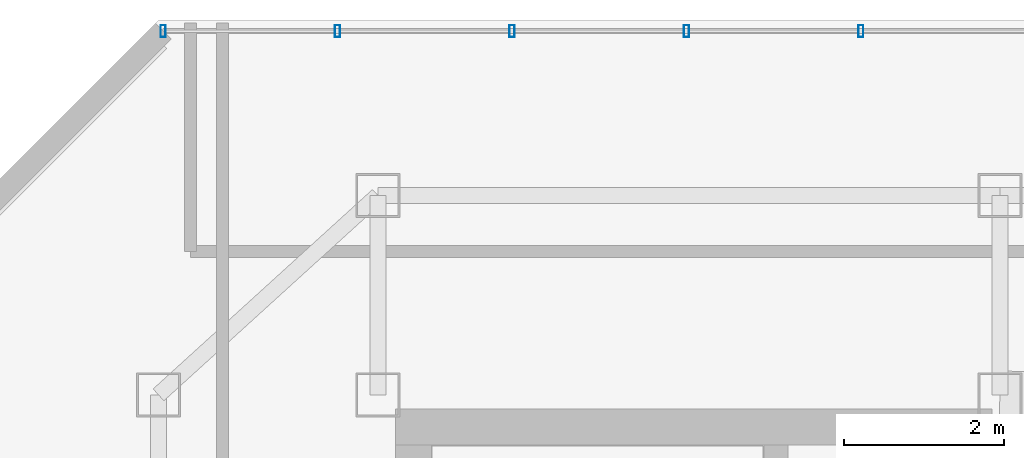
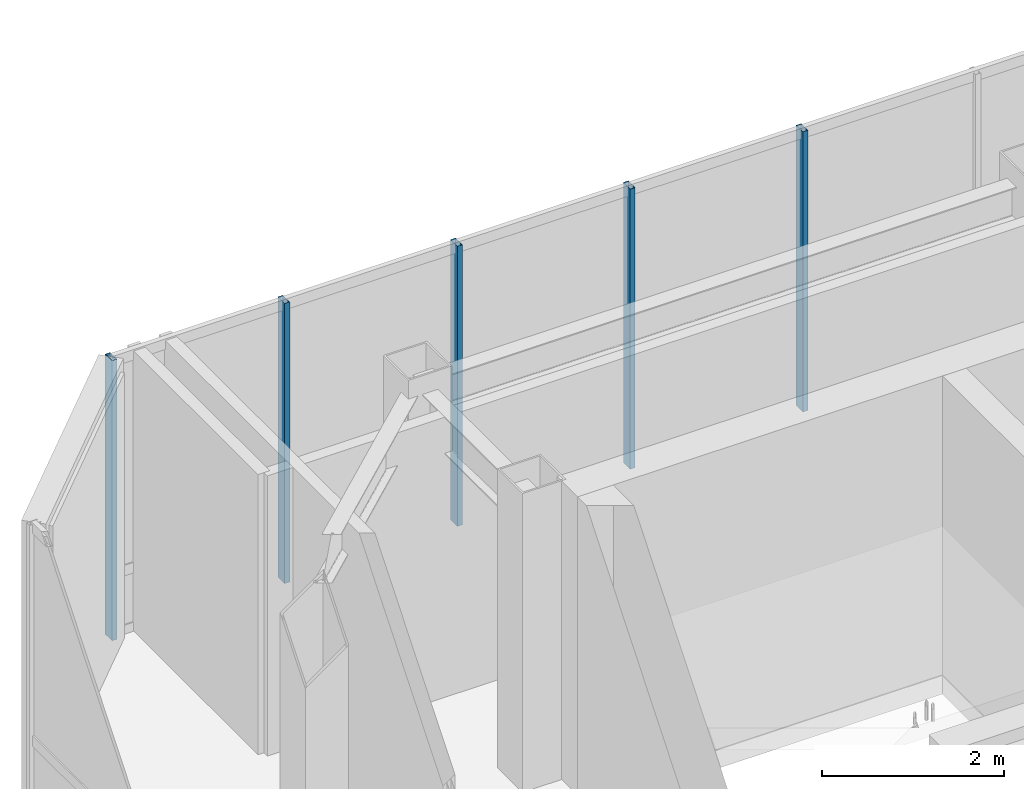
# One storey, part 14 of 23: 5 members, 1 element without a shape of its own.
"""IFC4 building model written with IfcOpenShell, lengths in metres."""

from ifc_helpers import new_model, si_unit, direction, frame, origin, origin_2d, place, context, subcontext, project, spatial, hollow_rectangle, extrude, material, layer, layer_set, material_profile, profile_set, type_object, element, aggregate, save


model = new_model("IFC4")

# Units and contexts
model_context = context("Model", 3, precision=1e-05, world=origin(), true_north=direction((0.0, 1.0)))
body_context = subcontext(model_context, "Body", "Model", "MODEL_VIEW")
ifc_project = project(units=[si_unit("LENGTHUNIT", "METRE"), si_unit("AREAUNIT", "SQUARE_METRE"), si_unit("VOLUMEUNIT", "CUBIC_METRE"), si_unit("PLANEANGLEUNIT", "RADIAN"), si_unit("MASSUNIT", "GRAM", prefix="KILO")], contexts=[model_context])

# Site, building, storey
site_placement = place(None, origin())
site = spatial("IfcSite", under=ifc_project, at=site_placement, CompositionType="ELEMENT")
building_placement = place(site_placement, origin())
building = spatial("IfcBuilding", under=site, at=building_placement, Name="Hatsunagi Terrace Concourse", CompositionType="ELEMENT")
storey_placement = place(building_placement, frame((0.0, 0.0, 281.949951171875)))
storey = spatial("IfcBuildingStorey", under=building, at=storey_placement, Name="L74", CompositionType="ELEMENT", Elevation=281.949951171875)

# Curtain wall, members
ifc_material_1 = material(Name="Anodised Aluminium Alloy 6063-T5", Category="aluminium")
ifc_layer = layer(ifc_material_1, 0.199951171875)
ifc_layer_set = layer_set([ifc_layer], Name="CrownWintergarden_CW06")
curtain_wall_type = type_object("IfcCurtainWallType", Name="CrownWintergarden_CW06", PredefinedType="NOTDEFINED", material=ifc_layer_set)
curtain_wall_placement = place(storey_placement, origin())
curtain_wall = element("IfcCurtainWall", 1, at=curtain_wall_placement, inside=storey, type_object=curtain_wall_type, Name="Unitised Curtain Wall CW-06 CW-L74-09", PredefinedType="NOTDEFINED")
ifc_material_2 = material(Name="Anodised Aluminium Alloy 6063-T5", Category="aluminium")
ifc_material_profile = material_profile(ifc_material_2, hollow_rectangle(XDim=0.06494140625, YDim=0.14990234375, WallThickness=0.00390625, at=origin_2d()), Name="ALU-MUL-150x65x4")
ifc_profile_set = profile_set([ifc_material_profile], Name="Anodised Aluminium Alloy 6063-T5")
member_type = type_object("IfcMemberType", Name="CurtainWallMullion_Crown_150x65", PredefinedType="MULLION", material=ifc_profile_set)
member_1_placement = place(storey_placement, frame((22.85791015625, 47.860107421875, 0.0), z_axis=(0.0, 0.0, 1.0), x_axis=(1.0, 0.0, 0.0)))
member_1 = element("IfcMember", 2, at=member_1_placement, type_object=member_type, Name="Curtain Wall Mullion MUL-03", PredefinedType="MULLION", context=body_context, shape_type="SweptSolid", body=[
    extrude(hollow_rectangle(XDim=0.06494140625, YDim=0.14990234375, WallThickness=0.00390625, at=origin_2d()), origin(), (0.0, 0.0, 1.0), 3.75),
])
member_2_placement = place(storey_placement, frame((25.044921875, 47.860107421875, 0.0), z_axis=(0.0, 0.0, 1.0), x_axis=(1.0, 0.0, 0.0)))
member_2 = element("IfcMember", 3, at=member_2_placement, type_object=member_type, Name="Curtain Wall Mullion MUL-03", PredefinedType="MULLION", context=body_context, shape_type="SweptSolid", body=[
    extrude(hollow_rectangle(XDim=0.06494140625, YDim=0.14990234375, WallThickness=0.00390625, at=origin_2d()), origin(), (0.0, 0.0, 1.0), 3.75),
])
member_3_placement = place(storey_placement, frame((27.23193359375, 47.860107421875, 0.0), z_axis=(0.0, 0.0, 1.0), x_axis=(1.0, 0.0, 0.0)))
member_3 = element("IfcMember", 4, at=member_3_placement, type_object=member_type, Name="Curtain Wall Mullion MUL-03", PredefinedType="MULLION", context=body_context, shape_type="SweptSolid", body=[
    extrude(hollow_rectangle(XDim=0.06494140625, YDim=0.14990234375, WallThickness=0.00390625, at=origin_2d()), origin(), (0.0, 0.0, 1.0), 3.75),
])
member_4_placement = place(storey_placement, frame((29.4189453125, 47.860107421875, 0.0), z_axis=(0.0, 0.0, 1.0), x_axis=(1.0, 0.0, 0.0)))
member_4 = element("IfcMember", 5, at=member_4_placement, type_object=member_type, Name="Curtain Wall Mullion MUL-03", PredefinedType="MULLION", context=body_context, shape_type="SweptSolid", body=[
    extrude(hollow_rectangle(XDim=0.06494140625, YDim=0.14990234375, WallThickness=0.00390625, at=origin_2d()), origin(), (0.0, 0.0, 1.0), 3.75),
])
member_5_placement = place(storey_placement, frame((31.60595703125, 47.860107421875, 0.0), z_axis=(0.0, 0.0, 1.0), x_axis=(1.0, 0.0, 0.0)))
member_5 = element("IfcMember", 6, at=member_5_placement, type_object=member_type, Name="Curtain Wall Mullion MUL-03", PredefinedType="MULLION", context=body_context, shape_type="SweptSolid", body=[
    extrude(hollow_rectangle(XDim=0.06494140625, YDim=0.14990234375, WallThickness=0.00390625, at=origin_2d()), origin(), (0.0, 0.0, 1.0), 3.75),
])
aggregate(curtain_wall, [member_1, member_2, member_3, member_4, member_5])

save(model, "model.ifc")
